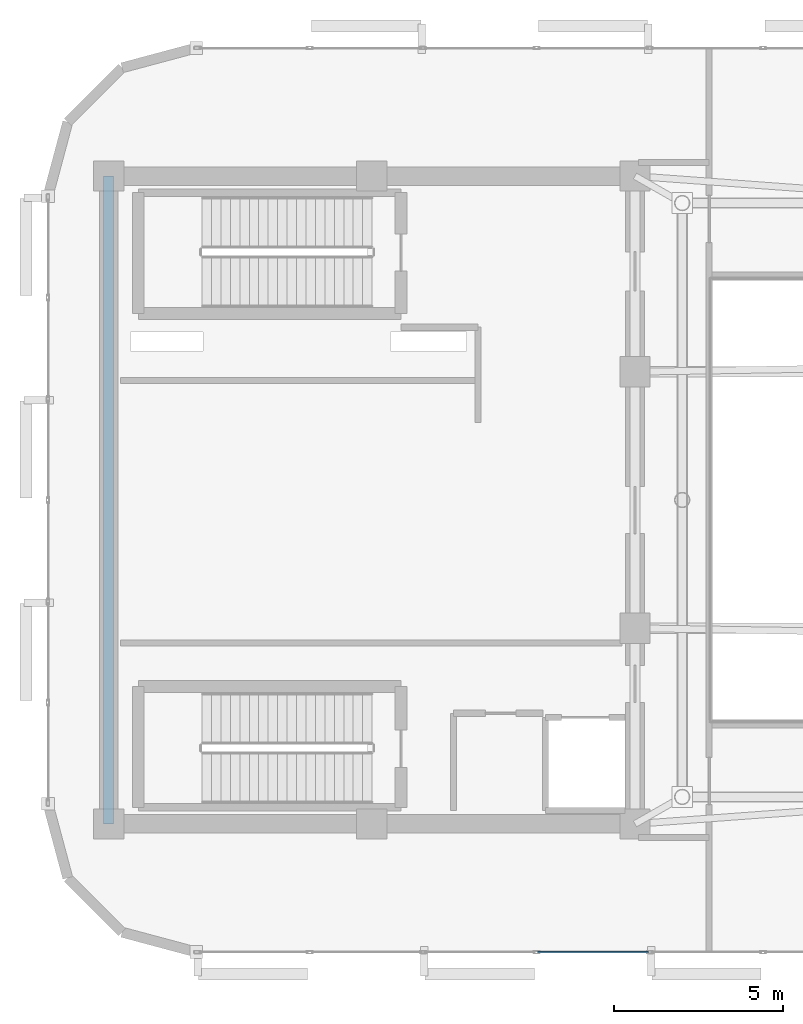
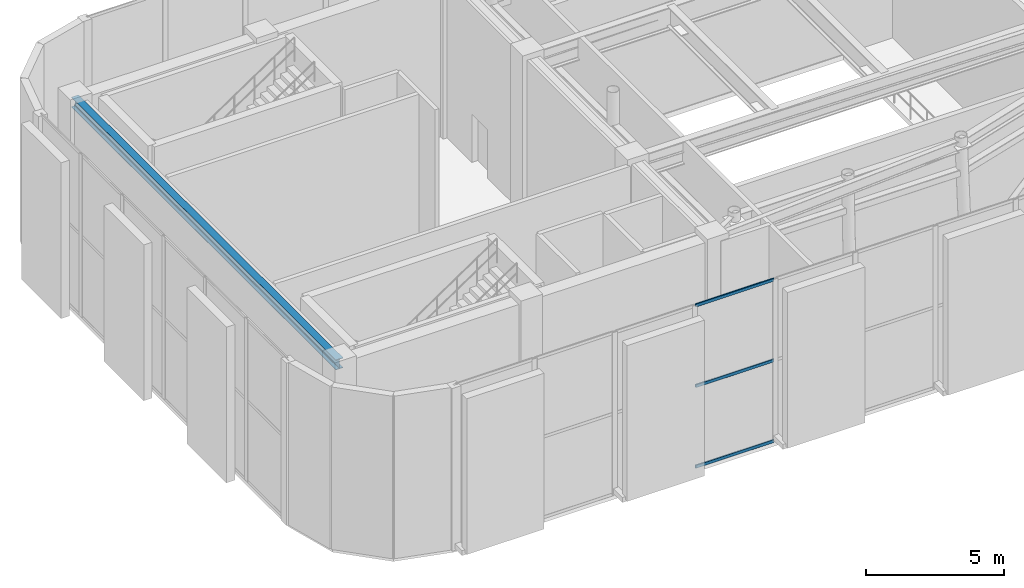
# One storey, part 4 of 20: 3 members, 1 beam, 1 element without a shape of its own.
"""IFC4 building model written with IfcOpenShell, lengths in metres."""

from ifc_helpers import new_model, si_unit, direction, frame, origin, origin_2d, place, context, subcontext, project, spatial, hollow_rectangle, i_section, extrude, material, layer, layer_set, material_profile, profile_set, type_object, element, aggregate, save


model = new_model("IFC4")

# Units and contexts
model_context = context("Model", 3, precision=1e-05, world=origin(), true_north=direction((0.0, 1.0)))
body_context = subcontext(model_context, "Body", "Model", "MODEL_VIEW")
ifc_project = project(units=[si_unit("LENGTHUNIT", "METRE"), si_unit("AREAUNIT", "SQUARE_METRE"), si_unit("VOLUMEUNIT", "CUBIC_METRE"), si_unit("PLANEANGLEUNIT", "RADIAN"), si_unit("MASSUNIT", "GRAM", prefix="KILO")], contexts=[model_context])

# Site, building, storey
site_placement = place(None, origin())
site = spatial("IfcSite", under=ifc_project, at=site_placement, CompositionType="ELEMENT")
building_placement = place(site_placement, origin())
building = spatial("IfcBuilding", under=site, at=building_placement, Name="An Khanh Terracotta Commons", CompositionType="ELEMENT")
storey_placement = place(building_placement, frame((0.0, 0.0, 308.0)))
storey = spatial("IfcBuildingStorey", under=building, at=storey_placement, Name="L79 Crown Damper Gallery", CompositionType="ELEMENT", Elevation=308.0)

# Beam
ifc_material_1 = material(Name="Steel S355J2", Category="steel")
ifc_material_profile_1 = material_profile(ifc_material_1, i_section(OverallWidth=0.300048828125, OverallDepth=0.449951171875, WebThickness=0.013916015625, FlangeThickness=0.02587890625, FilletRadius=0.027099609375, at=origin_2d()), Name="HEB450")
ifc_profile_set_1 = profile_set([ifc_material_profile_1], Name="Steel S355J2")
beam_type = type_object("IfcBeamType", Name="BM-HEB450", PredefinedType="BEAM", material=ifc_profile_set_1)
beam_placement = place(storey_placement, frame((21.60009765625, 14.39990234375, 6.72509765625), z_axis=(0.0, 1.0, 0.0), x_axis=(-1.0, 0.0, 0.0)))
element("IfcBeam", 1, at=beam_placement, inside=storey, type_object=beam_type, Name="L79 Crown Damper Gallery Core West Coupling Girder", PredefinedType="BEAM", context=body_context, shape_type="SweptSolid", body=[
    extrude(i_section(OverallWidth=0.300048828125, OverallDepth=0.449951171875, WebThickness=0.013916015625, FlangeThickness=0.02587890625, FilletRadius=0.027099609375, at=origin_2d()), origin(), (0.0, 0.0, 1.0), 19.2001953125),
])

# Curtain wall, members
ifc_material_2 = material(Name="Anodised Aluminium 6063-T6", Category="aluminium")
ifc_layer = layer(ifc_material_2, 0.25, Name="Anodised Aluminium 6063-T6")
ifc_layer_set = layer_set([ifc_layer], Name="Anodised Aluminium 6063-T6")
curtain_wall_type = type_object("IfcCurtainWallType", Name="CW-SYS-05", PredefinedType="USERDEFINED", material=ifc_layer_set)
curtain_wall_placement = place(storey_placement, origin())
curtain_wall = element("IfcCurtainWall", 2, at=curtain_wall_placement, inside=storey, type_object=curtain_wall_type, Name="L79 Crown Damper Gallery CW-05 Unitised Curtain Wall CW-L79-04", ObjectType="UNITISED CURTAIN WALL", PredefinedType="USERDEFINED")
ifc_material_profile_2 = material_profile(ifc_material_2, hollow_rectangle(XDim=0.06005859375, YDim=0.135009765625, WallThickness=0.003662109375, InnerFilletRadius=0.003662109375, OuterFilletRadius=0.007080078125, at=origin_2d()), Name="RHS135x60x3.6")
ifc_profile_set_2 = profile_set([ifc_material_profile_2], Name="Anodised Aluminium 6063-T6")
member_type = type_object("IfcMemberType", Name="CWT-RHS135x60x3.6", PredefinedType="USERDEFINED", material=ifc_profile_set_2)
member_1_placement = place(storey_placement, frame((34.318115234375, 10.60009765625, 0.030029296875), z_axis=(1.0, 0.0, 0.0), x_axis=(0.0, 1.0, 0.0)))
member_1 = element("IfcMember", 3, at=member_1_placement, type_object=member_type, Name="CW-05 transom 4.1", ObjectType="TRANSOM", PredefinedType="USERDEFINED", context=body_context, shape_type="SweptSolid", body=[
    extrude(hollow_rectangle(XDim=0.06005859375, YDim=0.135009765625, WallThickness=0.003662109375, InnerFilletRadius=0.003662109375, OuterFilletRadius=0.007080078125, at=origin_2d()), origin(), (0.0, 0.0, 1.0), 3.279541015625),
])
member_2_placement = place(storey_placement, frame((34.318115234375, 10.60009765625, 3.60009765625), z_axis=(1.0, 0.0, 0.0), x_axis=(0.0, 1.0, 0.0)))
member_2 = element("IfcMember", 4, at=member_2_placement, type_object=member_type, Name="CW-05 transom 4.2", ObjectType="TRANSOM", PredefinedType="USERDEFINED", context=body_context, shape_type="SweptSolid", body=[
    extrude(hollow_rectangle(XDim=0.06005859375, YDim=0.135009765625, WallThickness=0.003662109375, InnerFilletRadius=0.003662109375, OuterFilletRadius=0.007080078125, at=origin_2d()), origin(), (0.0, 0.0, 1.0), 3.279541015625),
])
member_3_placement = place(storey_placement, frame((34.318115234375, 10.60009765625, 7.169921875), z_axis=(1.0, 0.0, 0.0), x_axis=(0.0, 1.0, 0.0)))
member_3 = element("IfcMember", 5, at=member_3_placement, type_object=member_type, Name="CW-05 transom 4.3", ObjectType="TRANSOM", PredefinedType="USERDEFINED", context=body_context, shape_type="SweptSolid", body=[
    extrude(hollow_rectangle(XDim=0.06005859375, YDim=0.135009765625, WallThickness=0.003662109375, InnerFilletRadius=0.003662109375, OuterFilletRadius=0.007080078125, at=origin_2d()), origin(), (0.0, 0.0, 1.0), 3.279541015625),
])
aggregate(curtain_wall, [member_1, member_2, member_3])

save(model, "model.ifc")
